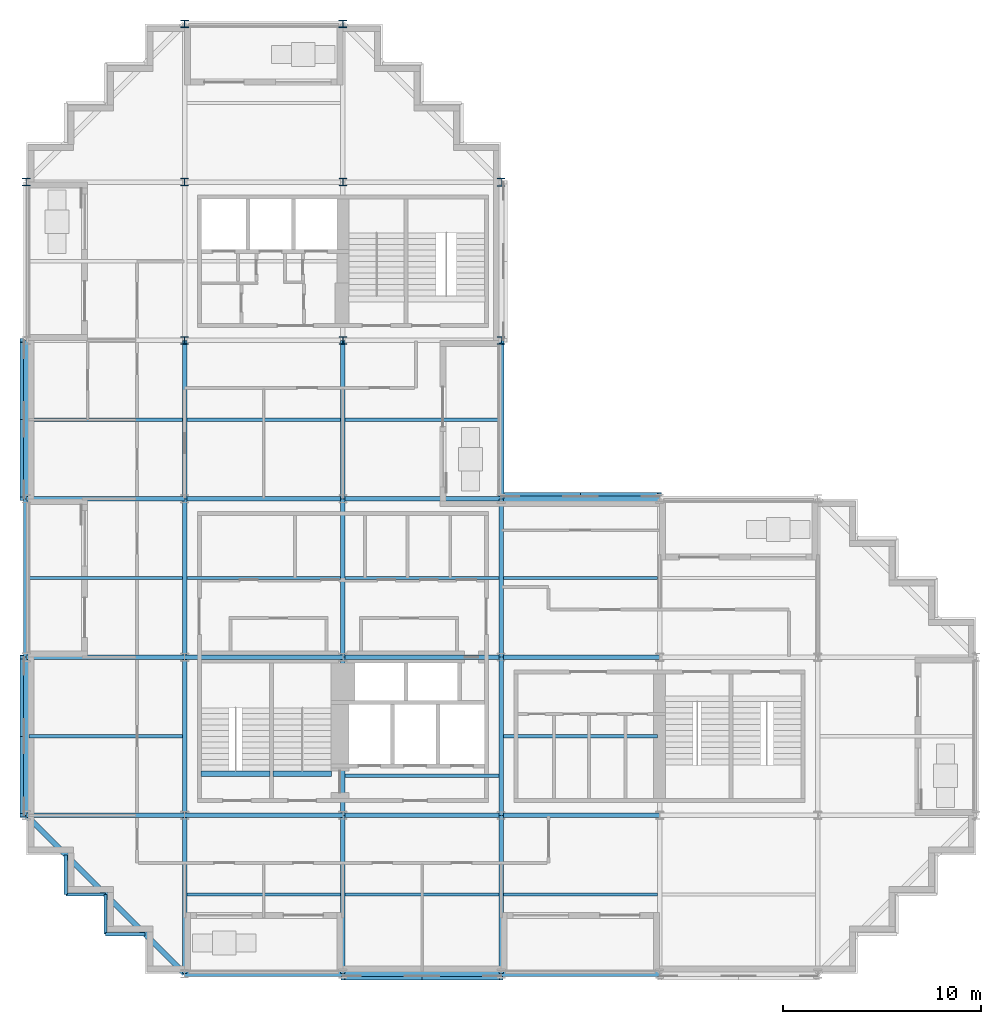
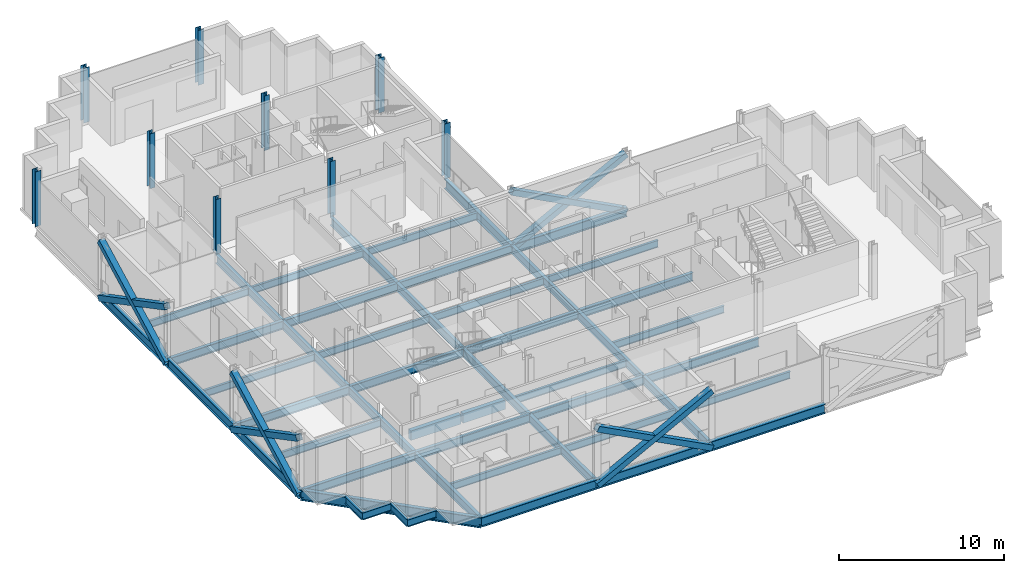
# One storey, part 2 of 12: 50 beams, 9 columns, 8 members.
"""IFC4 building model written with IfcOpenShell, lengths in metres."""

from ifc_helpers import new_model, si_unit, direction, frame, origin, origin_2d, place, context, subcontext, project, spatial, rectangle, hollow_rectangle, i_section, extrude, material, material_profile, profile_set, type_object, element, save


model = new_model("IFC4")

# Units and contexts
model_context = context("Model", 3, precision=1e-05, world=origin(), true_north=direction((0.0, 1.0)))
body_context = subcontext(model_context, "Body", "Model", "MODEL_VIEW")
ifc_project = project(units=[si_unit("LENGTHUNIT", "METRE"), si_unit("AREAUNIT", "SQUARE_METRE"), si_unit("VOLUMEUNIT", "CUBIC_METRE"), si_unit("PLANEANGLEUNIT", "RADIAN"), si_unit("MASSUNIT", "GRAM", prefix="KILO")], contexts=[model_context])

# Site, building, storey
site_placement = place(None, origin())
site = spatial("IfcSite", under=ifc_project, at=site_placement, CompositionType="ELEMENT")
building_placement = place(site_placement, origin())
building = spatial("IfcBuilding", under=site, at=building_placement, Name="Immortelle Media Tower", CompositionType="ELEMENT")
storey_placement = place(building_placement, frame((0.0, 0.0, 124.199951171875)))
storey = spatial("IfcBuildingStorey", under=building, at=storey_placement, Name="L24", CompositionType="ELEMENT", Elevation=124.199951171875)

# Columns
ifc_material_1 = material(Name="Steel ASTM A992 Gr 50", Category="steel")
ifc_material_profile_1 = material_profile(ifc_material_1, i_section(OverallWidth=0.373046875, OverallDepth=0.367919921875, WebThickness=0.014892578125, FlangeThickness=0.02392578125, at=origin_2d()), Name="W14x120")
ifc_profile_set_1 = profile_set([ifc_material_profile_1], Name="Steel ASTM A992 Gr 50")
column_type_1 = type_object("IfcColumnType", Name="W14x120 column", PredefinedType="COLUMN", material=ifc_profile_set_1)
for number, where, z_axis, x_axis, name in (
    (1, (8.0, 32.0, 0.0), (0.0, 0.0, 1.0), (1.0, 0.0, 0.0), "Column 2/E"),
    (2, (8.0, 40.0, 0.0), (0.0, 0.0, 1.0), (1.0, 0.0, 0.0), "Column 2/F"),
    (3, (16.0, 32.0, 0.0), (0.0, 0.0, 1.0), (1.0, 0.0, 0.0), "Column 3/E"),
    (4, (16.0, 40.0, 0.0), (0.0, 0.0, 1.0), (1.0, 0.0, 0.0), "Column 3/F"),
):
    element("IfcColumn", number, at=place(storey_placement, frame(where, z_axis=z_axis, x_axis=x_axis)), inside=storey, type_object=column_type_1, Name=name, PredefinedType="COLUMN", context=body_context, shape_type="SweptSolid", body=[
        extrude(i_section(OverallWidth=0.373046875, OverallDepth=0.367919921875, WebThickness=0.014892578125, FlangeThickness=0.02392578125, at=origin_2d()), origin(), (0.0, 0.0, 1.0), 4.050048828125),
    ])
ifc_material_profile_2 = material_profile(ifc_material_1, i_section(OverallWidth=0.39892578125, OverallDepth=0.385986328125, WebThickness=0.02099609375, FlangeThickness=0.032958984375, at=origin_2d()), Name="W14x176")
ifc_profile_set_2 = profile_set([ifc_material_profile_2], Name="Steel ASTM A992 Gr 50")
column_type_2 = type_object("IfcColumnType", Name="W14x176 column", PredefinedType="COLUMN", material=ifc_profile_set_2)
for number, where, z_axis, x_axis, name in (
    (5, (0.0, 40.0, 0.0), (0.0, 0.0, 1.0), (1.0, 0.0, 0.0), "Column 1/F"),
    (6, (8.0, 48.0, 0.0), (0.0, 0.0, 1.0), (1.0, 0.0, 0.0), "Column 2/G"),
    (7, (16.0, 48.0, 0.0), (0.0, 0.0, 1.0), (1.0, 0.0, 0.0), "Column 3/G"),
):
    element("IfcColumn", number, at=place(storey_placement, frame(where, z_axis=z_axis, x_axis=x_axis)), inside=storey, type_object=column_type_2, Name=name, PredefinedType="COLUMN", context=body_context, shape_type="SweptSolid", body=[
        extrude(i_section(OverallWidth=0.39892578125, OverallDepth=0.385986328125, WebThickness=0.02099609375, FlangeThickness=0.032958984375, at=origin_2d()), origin(), (0.0, 0.0, 1.0), 4.050048828125),
    ])
ifc_material_profile_3 = material_profile(ifc_material_1, i_section(OverallWidth=0.406005859375, OverallDepth=0.4169921875, WebThickness=0.030029296875, FlangeThickness=0.048095703125, at=origin_2d()), Name="W14x257")
ifc_profile_set_3 = profile_set([ifc_material_profile_3], Name="Steel ASTM A992 Gr 50")
column_type_3 = type_object("IfcColumnType", Name="W14x257 column", PredefinedType="COLUMN", material=ifc_profile_set_3)
for number, where, z_axis, x_axis, name in (
    (8, (24.0, 32.0, 0.0), (0.0, 0.0, 1.0), (1.0, 0.0, 0.0), "Column 4/E"),
    (9, (24.0, 40.0, 0.0), (0.0, 0.0, 1.0), (1.0, 0.0, 0.0), "Column 4/F"),
):
    element("IfcColumn", number, at=place(storey_placement, frame(where, z_axis=z_axis, x_axis=x_axis)), inside=storey, type_object=column_type_3, Name=name, PredefinedType="COLUMN", context=body_context, shape_type="SweptSolid", body=[
        extrude(i_section(OverallWidth=0.406005859375, OverallDepth=0.4169921875, WebThickness=0.030029296875, FlangeThickness=0.048095703125, at=origin_2d()), origin(), (0.0, 0.0, 1.0), 4.050048828125),
    ])

# Members
ifc_material_2 = material(Name="Steel ASTM A500 Gr C", Category="steel")
ifc_material_profile_4 = material_profile(ifc_material_2, hollow_rectangle(XDim=0.406005859375, YDim=0.406005859375, WallThickness=0.011962890625, at=origin_2d()), Name="HSS16x16x1/2 brace")
ifc_profile_set_4 = profile_set([ifc_material_profile_4], Name="Steel ASTM A500 Gr C")
member_type = type_object("IfcMemberType", Name="HSS16x16x1/2 brace", PredefinedType="BRACE", material=ifc_profile_set_4)
for number, where, z_axis, x_axis, name in (
    (10, (16.0, -0.113037109375, -0.496337890625), (0.885400126936, 0.0, 0.464829662588), (0.0, 1.0, 0.0), "Brace A/3-4 A"),
    (11, (16.0, -0.113037109375, 3.70361328125), (0.885400126936, 0.0, -0.464829662588), (0.0, 1.0, 0.0), "Brace A/3-4 B"),
    (12, (32.0, 24.113037109375, -0.496337890625), (-0.885400126936, 0.0, 0.464829662588), (0.0, -1.0, 0.0), "Brace D/4-5 A"),
    (13, (32.0, 24.113037109375, 3.70361328125), (-0.885400126936, 0.0, -0.464829662588), (0.0, -1.0, 0.0), "Brace D/4-5 B"),
    (14, (-0.113037109375, 32.0, -0.496337890625), (0.0, -0.885400126936, 0.464829662588), (1.0, 0.0, 0.0), "Brace 1/D-E A"),
    (15, (-0.113037109375, 32.0, 3.70361328125), (0.0, -0.885400126936, -0.464829662588), (1.0, 0.0, 0.0), "Brace 1/D-E B"),
    (16, (-0.113037109375, 16.0, -0.496337890625), (0.0, -0.885400126936, 0.464829662588), (1.0, 0.0, 0.0), "Brace 1/B-C A"),
    (17, (-0.113037109375, 16.0, 3.70361328125), (0.0, -0.885400126936, -0.464829662588), (1.0, 0.0, 0.0), "Brace 1/B-C B"),
):
    element("IfcMember", number, at=place(storey_placement, frame(where, z_axis=z_axis, x_axis=x_axis)), inside=storey, type_object=member_type, Name=name, PredefinedType="BRACE", context=body_context, shape_type="SweptSolid", body=[
        extrude(hollow_rectangle(XDim=0.406005859375, YDim=0.406005859375, WallThickness=0.011962890625, at=origin_2d()), origin(), (0.0, 0.0, 1.0), 9.035400390625),
    ])

# Beams
ifc_material_3 = material(Name="Concrete C50/60", Category="concrete")
ifc_material_profile_5 = material_profile(ifc_material_3, rectangle(XDim=0.300048828125, YDim=0.699951171875, at=origin_2d()), Name="RC 300x700")
ifc_profile_set_5 = profile_set([ifc_material_profile_5], Name="Concrete C50/60")
beam_type_1 = type_object("IfcBeamType", Name="Stair trimmer beam 300 x 700", PredefinedType="BEAM", material=ifc_profile_set_5)
beam_1_placement = place(storey_placement, frame((8.830078125, 10.10498046875, -0.5), z_axis=(1.0, 0.0, 0.0), x_axis=(0.0, 1.0, 0.0)))
element("IfcBeam", 18, at=beam_1_placement, inside=storey, type_object=beam_type_1, Name="Stair trimmer beam SW1", PredefinedType="BEAM", context=body_context, shape_type="SweptSolid", body=[
    extrude(rectangle(XDim=0.300048828125, YDim=0.699951171875, at=origin_2d()), origin(), (0.0, 0.0, 1.0), 3.489990234375),
])
beam_2_placement = place(storey_placement, frame((12.47998046875, 10.10498046875, -0.5), z_axis=(1.0, 0.0, 0.0), x_axis=(0.0, 1.0, 0.0)))
element("IfcBeam", 19, at=beam_2_placement, inside=storey, type_object=beam_type_1, Name="Stair trimmer beam SW2", PredefinedType="BEAM", context=body_context, shape_type="SweptSolid", body=[
    extrude(rectangle(XDim=0.300048828125, YDim=0.699951171875, at=origin_2d()), origin(), (0.0, 0.0, 1.0), 2.93994140625),
])
ifc_material_profile_6 = material_profile(ifc_material_1, i_section(OverallWidth=0.1650390625, OverallDepth=0.52587890625, WebThickness=0.009033203125, FlangeThickness=0.010986328125, at=origin_2d()), Name="W21x44")
ifc_profile_set_6 = profile_set([ifc_material_profile_6], Name="Steel ASTM A992 Gr 50")
beam_type_2 = type_object("IfcBeamType", Name="W21x44 secondary beam", PredefinedType="JOIST", material=ifc_profile_set_6)
for number, where, z_axis, x_axis, name in (
    (20, (8.114501953125, 4.0, -0.412841796875), (1.0, 0.0, 0.0), (0.0, 1.0, 0.0), "Beam A-B/2-3"),
    (21, (16.114501953125, 4.0, -0.412841796875), (1.0, 0.0, 0.0), (0.0, 1.0, 0.0), "Beam A-B/3-4"),
    (22, (24.114501953125, 4.0, -0.412841796875), (1.0, 0.0, 0.0), (0.0, 1.0, 0.0), "Beam A-B/4-5"),
):
    element("IfcBeam", number, at=place(storey_placement, frame(where, z_axis=z_axis, x_axis=x_axis)), inside=storey, type_object=beam_type_2, Name=name, PredefinedType="JOIST", context=body_context, shape_type="SweptSolid", body=[
        extrude(i_section(OverallWidth=0.1650390625, OverallDepth=0.52587890625, WebThickness=0.009033203125, FlangeThickness=0.010986328125, at=origin_2d()), origin(), (0.0, 0.0, 1.0), 7.77099609375),
    ])
beam_3_placement = place(storey_placement, frame((0.12841796875, 12.0, -0.412841796875), z_axis=(1.0, 0.0, 0.0), x_axis=(0.0, 1.0, 0.0)))
element("IfcBeam", 23, at=beam_3_placement, inside=storey, type_object=beam_type_2, Name="Beam B-C/1-2", PredefinedType="JOIST", context=body_context, shape_type="SweptSolid", body=[
    extrude(i_section(OverallWidth=0.1650390625, OverallDepth=0.52587890625, WebThickness=0.009033203125, FlangeThickness=0.010986328125, at=origin_2d()), origin(), (0.0, 0.0, 1.0), 7.757080078125),
])
for number, where, z_axis, x_axis, name in (
    (24, (16.114501953125, 10.0, -0.412841796875), (1.0, 0.0, 0.0), (0.0, 1.0, 0.0), "Beam B-C/3-4"),
    (25, (24.114501953125, 12.0, -0.412841796875), (1.0, 0.0, 0.0), (0.0, 1.0, 0.0), "Beam B-C/4-5"),
):
    element("IfcBeam", number, at=place(storey_placement, frame(where, z_axis=z_axis, x_axis=x_axis)), inside=storey, type_object=beam_type_2, Name=name, PredefinedType="JOIST", context=body_context, shape_type="SweptSolid", body=[
        extrude(i_section(OverallWidth=0.1650390625, OverallDepth=0.52587890625, WebThickness=0.009033203125, FlangeThickness=0.010986328125, at=origin_2d()), origin(), (0.0, 0.0, 1.0), 7.77099609375),
    ])
beam_4_placement = place(storey_placement, frame((0.12841796875, 20.0, -0.412841796875), z_axis=(1.0, 0.0, 0.0), x_axis=(0.0, 1.0, 0.0)))
element("IfcBeam", 26, at=beam_4_placement, inside=storey, type_object=beam_type_2, Name="Beam C-D/1-2", PredefinedType="JOIST", context=body_context, shape_type="SweptSolid", body=[
    extrude(i_section(OverallWidth=0.1650390625, OverallDepth=0.52587890625, WebThickness=0.009033203125, FlangeThickness=0.010986328125, at=origin_2d()), origin(), (0.0, 0.0, 1.0), 7.757080078125),
])
for number, where, z_axis, x_axis, name in (
    (27, (8.114501953125, 20.0, -0.412841796875), (1.0, 0.0, 0.0), (0.0, 1.0, 0.0), "Beam C-D/2-3"),
    (28, (16.114501953125, 20.0, -0.412841796875), (1.0, 0.0, 0.0), (0.0, 1.0, 0.0), "Beam C-D/3-4"),
    (29, (24.114501953125, 20.0, -0.412841796875), (1.0, 0.0, 0.0), (0.0, 1.0, 0.0), "Beam C-D/4-5"),
):
    element("IfcBeam", number, at=place(storey_placement, frame(where, z_axis=z_axis, x_axis=x_axis)), inside=storey, type_object=beam_type_2, Name=name, PredefinedType="JOIST", context=body_context, shape_type="SweptSolid", body=[
        extrude(i_section(OverallWidth=0.1650390625, OverallDepth=0.52587890625, WebThickness=0.009033203125, FlangeThickness=0.010986328125, at=origin_2d()), origin(), (0.0, 0.0, 1.0), 7.77099609375),
    ])
beam_5_placement = place(storey_placement, frame((0.12841796875, 28.0, -0.412841796875), z_axis=(1.0, 0.0, 0.0), x_axis=(0.0, 1.0, 0.0)))
element("IfcBeam", 30, at=beam_5_placement, inside=storey, type_object=beam_type_2, Name="Beam D-E/1-2", PredefinedType="JOIST", context=body_context, shape_type="SweptSolid", body=[
    extrude(i_section(OverallWidth=0.1650390625, OverallDepth=0.52587890625, WebThickness=0.009033203125, FlangeThickness=0.010986328125, at=origin_2d()), origin(), (0.0, 0.0, 1.0), 7.757080078125),
])
beam_6_placement = place(storey_placement, frame((8.114501953125, 28.0, -0.412841796875), z_axis=(1.0, 0.0, 0.0), x_axis=(0.0, 1.0, 0.0)))
element("IfcBeam", 31, at=beam_6_placement, inside=storey, type_object=beam_type_2, Name="Beam D-E/2-3", PredefinedType="JOIST", context=body_context, shape_type="SweptSolid", body=[
    extrude(i_section(OverallWidth=0.1650390625, OverallDepth=0.52587890625, WebThickness=0.009033203125, FlangeThickness=0.010986328125, at=origin_2d()), origin(), (0.0, 0.0, 1.0), 7.77099609375),
])
beam_7_placement = place(storey_placement, frame((16.114501953125, 28.0, -0.412841796875), z_axis=(1.0, 0.0, 0.0), x_axis=(0.0, 1.0, 0.0)))
element("IfcBeam", 32, at=beam_7_placement, inside=storey, type_object=beam_type_2, Name="Beam D-E/3-4", PredefinedType="JOIST", context=body_context, shape_type="SweptSolid", body=[
    extrude(i_section(OverallWidth=0.1650390625, OverallDepth=0.52587890625, WebThickness=0.009033203125, FlangeThickness=0.010986328125, at=origin_2d()), origin(), (0.0, 0.0, 1.0), 7.757080078125),
])
ifc_material_profile_7 = material_profile(ifc_material_1, i_section(OverallWidth=0.1650390625, OverallDepth=0.52587890625, WebThickness=0.009033203125, FlangeThickness=0.010986328125, at=origin_2d()), Name="W21x44")
ifc_profile_set_7 = profile_set([ifc_material_profile_7], Name="Steel ASTM A992 Gr 50")
beam_type_3 = type_object("IfcBeamType", Name="W21x44 serration edge beam", PredefinedType="SPANDREL", material=ifc_profile_set_7)
for number, where, z_axis, x_axis, name in (
    (33, (6.0, 2.0, -0.412841796875), (-1.0, 0.0, 0.0), (0.0, -1.0, 0.0), "Corner edge beam 1 at 1/A"),
    (34, (4.0, 2.0, -0.412841796875), (0.0, 1.0, 0.0), (-1.0, 0.0, 0.0), "Corner edge beam 2 at 1/A"),
    (35, (4.0, 4.0, -0.412841796875), (-1.0, 0.0, 0.0), (0.0, -1.0, 0.0), "Corner edge beam 3 at 1/A"),
    (36, (2.0, 4.0, -0.412841796875), (0.0, 1.0, 0.0), (-1.0, 0.0, 0.0), "Corner edge beam 4 at 1/A"),
):
    element("IfcBeam", number, at=place(storey_placement, frame(where, z_axis=z_axis, x_axis=x_axis)), inside=storey, type_object=beam_type_3, Name=name, PredefinedType="SPANDREL", context=body_context, shape_type="SweptSolid", body=[
        extrude(i_section(OverallWidth=0.1650390625, OverallDepth=0.52587890625, WebThickness=0.009033203125, FlangeThickness=0.010986328125, at=origin_2d()), origin(), (0.0, 0.0, 1.0), 2.0),
    ])
ifc_material_profile_8 = material_profile(ifc_material_1, i_section(OverallWidth=0.22900390625, OverallDepth=0.612060546875, WebThickness=0.011962890625, FlangeThickness=0.02001953125, at=origin_2d()), Name="W24x84")
ifc_profile_set_8 = profile_set([ifc_material_profile_8], Name="Steel ASTM A992 Gr 50")
beam_type_4 = type_object("IfcBeamType", Name="W24x84 girder", PredefinedType="BEAM", material=ifc_profile_set_8)
for number, where, z_axis, x_axis, name in (
    (37, (0.0, 8.0, -0.4560546875), (1.0, 0.0, 0.0), (0.0, 1.0, 0.0), "Girder B/1-2"),
    (38, (0.0, 16.0, -0.4560546875), (1.0, 0.0, 0.0), (0.0, 1.0, 0.0), "Girder C/1-2"),
    (39, (0.0, 24.0, -0.4560546875), (1.0, 0.0, 0.0), (0.0, 1.0, 0.0), "Girder D/1-2"),
    (40, (8.0, 0.0, -0.4560546875), (0.0, 1.0, 0.0), (-1.0, 0.0, 0.0), "Girder 2/A-B"),
    (41, (8.0, 8.0, -0.4560546875), (1.0, 0.0, 0.0), (0.0, 1.0, 0.0), "Girder B/2-3"),
    (42, (8.0, 8.0, -0.4560546875), (0.0, 1.0, 0.0), (-1.0, 0.0, 0.0), "Girder 2/B-C"),
    (43, (8.0, 16.0, -0.4560546875), (1.0, 0.0, 0.0), (0.0, 1.0, 0.0), "Girder C/2-3"),
    (44, (8.0, 16.0, -0.4560546875), (0.0, 1.0, 0.0), (-1.0, 0.0, 0.0), "Girder 2/C-D"),
    (45, (8.0, 24.0, -0.4560546875), (1.0, 0.0, 0.0), (0.0, 1.0, 0.0), "Girder D/2-3"),
    (46, (8.0, 24.0, -0.4560546875), (0.0, 1.0, 0.0), (-1.0, 0.0, 0.0), "Girder 2/D-E"),
    (47, (16.0, 0.0, -0.4560546875), (0.0, 1.0, 0.0), (-1.0, 0.0, 0.0), "Girder 3/A-B"),
    (48, (16.0, 8.0, -0.4560546875), (1.0, 0.0, 0.0), (0.0, 1.0, 0.0), "Girder B/3-4"),
    (49, (16.0, 8.0, -0.4560546875), (0.0, 1.0, 0.0), (-1.0, 0.0, 0.0), "Girder 3/B-C"),
    (50, (16.0, 16.0, -0.4560546875), (1.0, 0.0, 0.0), (0.0, 1.0, 0.0), "Girder C/3-4"),
    (51, (16.0, 16.0, -0.4560546875), (0.0, 1.0, 0.0), (-1.0, 0.0, 0.0), "Girder 3/C-D"),
    (52, (16.0, 24.0, -0.4560546875), (1.0, 0.0, 0.0), (0.0, 1.0, 0.0), "Girder D/3-4"),
    (53, (16.0, 24.0, -0.4560546875), (0.0, 1.0, 0.0), (-1.0, 0.0, 0.0), "Girder 3/D-E"),
    (54, (24.0, 0.0, -0.4560546875), (0.0, 1.0, 0.0), (-1.0, 0.0, 0.0), "Girder 4/A-B"),
    (55, (24.0, 8.0, -0.4560546875), (1.0, 0.0, 0.0), (0.0, 1.0, 0.0), "Girder B/4-5"),
    (56, (24.0, 8.0, -0.4560546875), (0.0, 1.0, 0.0), (-1.0, 0.0, 0.0), "Girder 4/B-C"),
    (57, (24.0, 16.0, -0.4560546875), (1.0, 0.0, 0.0), (0.0, 1.0, 0.0), "Girder C/4-5"),
    (58, (24.0, 16.0, -0.4560546875), (0.0, 1.0, 0.0), (-1.0, 0.0, 0.0), "Girder 4/C-D"),
):
    element("IfcBeam", number, at=place(storey_placement, frame(where, z_axis=z_axis, x_axis=x_axis)), inside=storey, type_object=beam_type_4, Name=name, PredefinedType="BEAM", context=body_context, shape_type="SweptSolid", body=[
        extrude(i_section(OverallWidth=0.22900390625, OverallDepth=0.612060546875, WebThickness=0.011962890625, FlangeThickness=0.02001953125, at=origin_2d()), origin(), (0.0, 0.0, 1.0), 8.0),
    ])
ifc_material_profile_9 = material_profile(ifc_material_1, i_section(OverallWidth=0.257080078125, OverallDepth=0.693115234375, WebThickness=0.013916015625, FlangeThickness=0.02392578125, at=origin_2d()), Name="W27x114")
ifc_profile_set_9 = profile_set([ifc_material_profile_9], Name="Steel ASTM A992 Gr 50")
beam_type_5 = type_object("IfcBeamType", Name="W27x114 perimeter girder", PredefinedType="SPANDREL", material=ifc_profile_set_9)
for number, where, z_axis, x_axis, name in (
    (59, (0.0, 8.0, -0.496337890625), (0.0, 1.0, 0.0), (-1.0, 0.0, 0.0), "Girder 1/B-C"),
    (60, (0.0, 16.0, -0.496337890625), (0.0, 1.0, 0.0), (-1.0, 0.0, 0.0), "Girder 1/C-D"),
    (61, (0.0, 24.0, -0.496337890625), (0.0, 1.0, 0.0), (-1.0, 0.0, 0.0), "Girder 1/D-E"),
    (62, (8.0, 0.0, -0.496337890625), (1.0, 0.0, 0.0), (0.0, 1.0, 0.0), "Girder A/2-3"),
    (63, (16.0, 0.0, -0.496337890625), (1.0, 0.0, 0.0), (0.0, 1.0, 0.0), "Girder A/3-4"),
    (64, (24.0, 0.0, -0.496337890625), (1.0, 0.0, 0.0), (0.0, 1.0, 0.0), "Girder A/4-5"),
    (65, (24.0, 24.0, -0.496337890625), (1.0, 0.0, 0.0), (0.0, 1.0, 0.0), "Girder D/4-5"),
    (66, (24.0, 24.0, -0.496337890625), (0.0, 1.0, 0.0), (-1.0, 0.0, 0.0), "Girder 4/D-E"),
):
    element("IfcBeam", number, at=place(storey_placement, frame(where, z_axis=z_axis, x_axis=x_axis)), inside=storey, type_object=beam_type_5, Name=name, PredefinedType="SPANDREL", context=body_context, shape_type="SweptSolid", body=[
        extrude(i_section(OverallWidth=0.257080078125, OverallDepth=0.693115234375, WebThickness=0.013916015625, FlangeThickness=0.02392578125, at=origin_2d()), origin(), (0.0, 0.0, 1.0), 8.0),
    ])
ifc_material_profile_10 = material_profile(ifc_material_1, i_section(OverallWidth=0.26708984375, OverallDepth=0.761962890625, WebThickness=0.013916015625, FlangeThickness=0.02197265625, at=origin_2d()), Name="W30x116")
ifc_profile_set_10 = profile_set([ifc_material_profile_10], Name="Steel ASTM A992 Gr 50")
beam_type_6 = type_object("IfcBeamType", Name="W30x116 corner girder", PredefinedType="SPANDREL", material=ifc_profile_set_10)
beam_8_placement = place(storey_placement, frame((8.0, 0.0, -0.531005859375), z_axis=(-0.707106781187, 0.707106781187, 0.0), x_axis=(-0.707106781187, -0.707106781187, 0.0)))
element("IfcBeam", 67, at=beam_8_placement, inside=storey, type_object=beam_type_6, Name="Corner girder at 1/A", PredefinedType="SPANDREL", context=body_context, shape_type="SweptSolid", body=[
    extrude(i_section(OverallWidth=0.26708984375, OverallDepth=0.761962890625, WebThickness=0.013916015625, FlangeThickness=0.02197265625, at=origin_2d()), origin(), (0.0, 0.0, 1.0), 11.313720703125),
])

save(model, "model.ifc")
